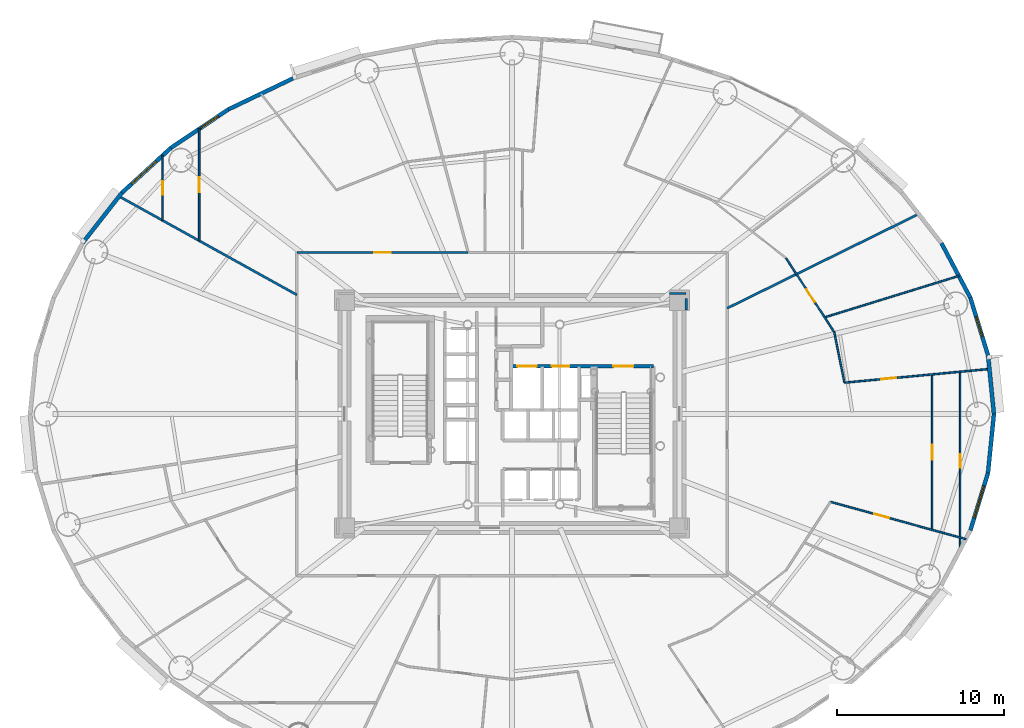
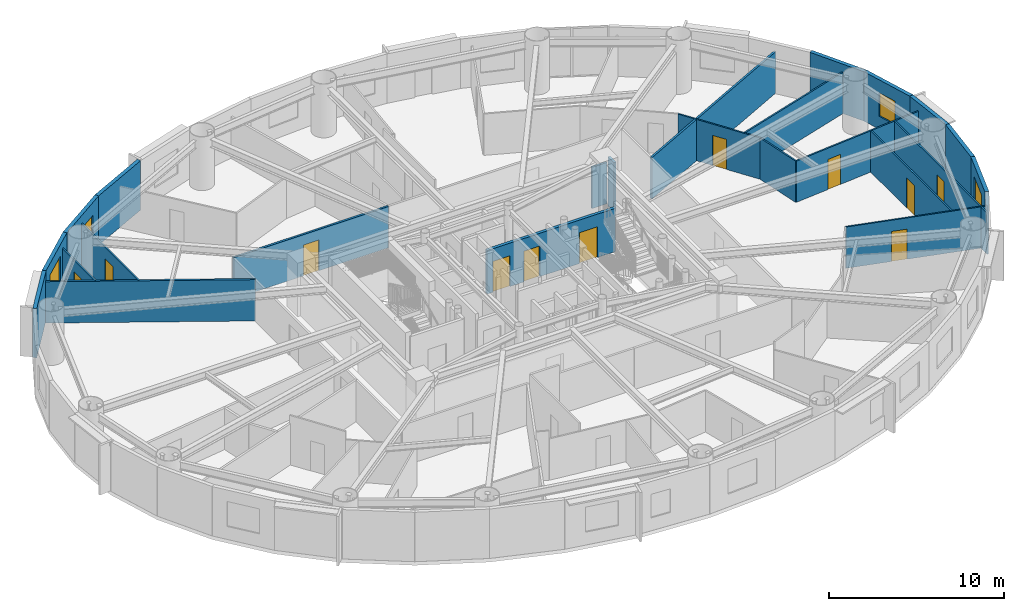
# One storey, part 10 of 17: 24 walls, 11 doors, 4 windows, 15 openings.
"""IFC4 building model written with IfcOpenShell, lengths in metres."""

from ifc_helpers import new_model, si_unit, direction, frame, frame_2d, origin, origin_2d, place, context, subcontext, project, spatial, rectangle, extrude, source, transform, mapped, material, layer, layer_set, type_object, element, fill, save


model = new_model("IFC4")

# Units and contexts
model_context = context("Model", 3, precision=1e-05, world=origin(), true_north=direction((0.0, 1.0)))
body_context = subcontext(model_context, "Body", "Model", "MODEL_VIEW")
ifc_project = project(units=[si_unit("LENGTHUNIT", "METRE"), si_unit("AREAUNIT", "SQUARE_METRE"), si_unit("VOLUMEUNIT", "CUBIC_METRE"), si_unit("PLANEANGLEUNIT", "RADIAN"), si_unit("MASSUNIT", "GRAM", prefix="KILO")], contexts=[model_context])

# Site, building, storey
site_placement = place(None, origin())
site = spatial("IfcSite", under=ifc_project, at=site_placement, CompositionType="ELEMENT")
building_placement = place(site_placement, origin())
building = spatial("IfcBuilding", under=site, at=building_placement, Name="Linh Dai School and Residence Tower", CompositionType="ELEMENT")
storey_placement = place(building_placement, frame((0.0, 0.0, 142.199951171875)))
storey = spatial("IfcBuildingStorey", under=building, at=storey_placement, Name="L34", CompositionType="ELEMENT", Elevation=142.199951171875)

# Wall
ifc_material_1 = material(Name="Precast Concrete B45 (C35/45)", Category="concrete")
ifc_layer_1 = layer(ifc_material_1, 0.239990234375)
ifc_layer_set_1 = layer_set([ifc_layer_1], Name="Precast Concrete B45 (C35/45)")
wall_type_1 = type_object("IfcWallType", Name="EW-TC-240", PredefinedType="SOLIDWALL", material=ifc_layer_set_1)
wall_1_placement = place(storey_placement, frame((64.421630859375, 30.515380859375, 0.0), z_axis=(0.0, 0.0, 1.0), x_axis=(0.099989468229, -0.994988495533, 0.0)))
element("IfcWall", 1, at=wall_1_placement, inside=storey, type_object=wall_type_1, Name="L34 Terracotta Exterior Wall 01", PredefinedType="SOLIDWALL", context=body_context, shape_type="SweptSolid", body=[
    extrude(rectangle(XDim=3.533203125, YDim=0.239990234375, at=frame_2d((1.7666015625, 0.0))), origin(), (0.0, 0.0, 1.0), 3.449951171875),
])

# Wall, opening, window
wall_2_placement = place(storey_placement, frame((63.3701171875, 33.945068359375, 0.0), z_axis=(0.0, 0.0, 1.0), x_axis=(0.293124431344, -0.956074300329, 0.0)))
wall_2 = element("IfcWall", 2, at=wall_2_placement, inside=storey, type_object=wall_type_1, Name="L34 Terracotta Exterior Wall 02", PredefinedType="SOLIDWALL", context=body_context, shape_type="SweptSolid", body=[
    extrude(rectangle(XDim=3.587158203125, YDim=0.239990234375, at=frame_2d((1.79345703125, 0.0))), origin(), (0.0, 0.0, 1.0), 3.449951171875),
])
opening_1_placement = place(wall_2_placement, frame((1.168701171875, 0.0, 0.89990234375)))
opening_1 = element("IfcOpeningElement", 3, at=opening_1_placement, cuts=wall_2, Name="Opening W3", PredefinedType="OPENING", context=body_context, shape_type="SweptSolid", body=[
    extrude(rectangle(XDim=1.25, YDim=1.64990234375, at=origin_2d()), frame((0.625, 0.1298828125, 0.824951171875), z_axis=(0.0, -1.0, 0.0), x_axis=(1.0, 0.0, 0.0)), (0.0, 0.0, 1.0), 0.260009765625),
])
ifc_material_2 = material(Name="Double Low-E Insulated Glazing", Category="glass")
window_type_1 = type_object("IfcWindowType", Name="WN-RES-1250x1650", PartitioningType="SINGLE_PANEL", PredefinedType="WINDOW", material=ifc_material_2)
shared_shape_1 = source(origin(), body_context, "Body", "SweptSolid", [
    extrude(rectangle(XDim=1.25, YDim=1.64990234375, at=origin_2d()), frame((0.625, 0.030029296875, 0.824951171875), z_axis=(0.0, -1.0, 0.0), x_axis=(1.0, 0.0, 0.0)), (0.0, 0.0, 1.0), 0.06005859375),
])
window_1_placement = place(opening_1_placement, origin())
window_1 = element("IfcWindow", 4, at=window_1_placement, inside=storey, type_object=window_type_1, Name="L34 Dwelling Window U3403-BD2", OverallHeight=1.64990234375, OverallWidth=1.25, PartitioningType="SINGLE_PANEL", PredefinedType="WINDOW", context=body_context, shape_type="MappedRepresentation", body=[
    mapped(shared_shape_1, transform((0.0, 0.0, 0.0), x_axis=(1.0, 0.0, 0.0), y_axis=(0.0, 1.0, 0.0), z_axis=(0.0, 0.0, 1.0), scale=1.0)),
])
fill(opening_1, window_1)

# Walls
wall_3_placement = place(storey_placement, frame((61.645263671875, 37.20556640625, 0.0), z_axis=(0.0, 0.0, 1.0), x_axis=(0.467614004126, -0.883932770716, 0.0)))
element("IfcWall", 5, at=wall_3_placement, inside=storey, type_object=wall_type_1, Name="L34 Terracotta Exterior Wall 03", PredefinedType="SOLIDWALL", context=body_context, shape_type="SweptSolid", body=[
    extrude(rectangle(XDim=3.688720703125, YDim=0.239990234375, at=frame_2d((1.84423828125, 0.0))), origin(), (0.0, 0.0, 1.0), 3.449951171875),
])
wall_4_placement = place(storey_placement, frame((19.07470703125, 45.199462890625, 0.0), z_axis=(0.0, 0.0, 1.0), x_axis=(0.901589935876, 0.432591709962, 0.0)))
element("IfcWall", 6, at=wall_4_placement, inside=storey, type_object=wall_type_1, Name="L34 Terracotta Exterior Wall 14", PredefinedType="SOLIDWALL", context=body_context, shape_type="SweptSolid", body=[
    extrude(rectangle(XDim=4.271728515625, YDim=0.239990234375, at=frame_2d((2.1357421875, 0.0))), origin(), (0.0, 0.0, 1.0), 3.449951171875),
])

# Wall, opening, window
wall_5_placement = place(storey_placement, frame((15.6416015625, 42.9033203125, 0.0), z_axis=(0.0, 0.0, 1.0), x_axis=(0.831221811447, 0.555940914284, 0.0)))
wall_5 = element("IfcWall", 7, at=wall_5_placement, inside=storey, type_object=wall_type_1, Name="L34 Terracotta Exterior Wall 15", PredefinedType="SOLIDWALL", context=body_context, shape_type="SweptSolid", body=[
    extrude(rectangle(XDim=4.130126953125, YDim=0.239990234375, at=frame_2d((2.06494140625, 0.0))), origin(), (0.0, 0.0, 1.0), 3.449951171875),
])
opening_2_placement = place(wall_5_placement, frame((2.155517578125, 0.0, 0.89990234375)))
opening_2 = element("IfcOpeningElement", 8, at=opening_2_placement, cuts=wall_5, Name="Opening W3", PredefinedType="OPENING", context=body_context, shape_type="SweptSolid", body=[
    extrude(rectangle(XDim=1.25, YDim=1.64990234375, at=origin_2d()), frame((0.625, 0.1298828125, 0.824951171875), z_axis=(0.0, -1.0, 0.0), x_axis=(1.0, 0.0, 0.0)), (0.0, 0.0, 1.0), 0.260009765625),
])
window_2_placement = place(opening_2_placement, origin())
window_2 = element("IfcWindow", 9, at=window_2_placement, inside=storey, type_object=window_type_1, Name="L34 Dwelling Window U3405-LIV", OverallHeight=1.64990234375, OverallWidth=1.25, PartitioningType="SINGLE_PANEL", PredefinedType="WINDOW", context=body_context, shape_type="MappedRepresentation", body=[
    mapped(shared_shape_1, transform((0.0, 0.0, 0.0), x_axis=(1.0, 0.0, 0.0), y_axis=(0.0, 1.0, 0.0), z_axis=(0.0, 0.0, 1.0), scale=1.0)),
])
fill(opening_2, window_2)

wall_6_placement = place(storey_placement, frame((12.7109375, 40.216552734375, 0.0), z_axis=(0.0, 0.0, 1.0), x_axis=(0.737113356241, 0.675769117414, 0.0)))
wall_6 = element("IfcWall", 10, at=wall_6_placement, inside=storey, type_object=wall_type_1, Name="L34 Terracotta Exterior Wall 16", PredefinedType="SOLIDWALL", context=body_context, shape_type="SweptSolid", body=[
    extrude(rectangle(XDim=3.975830078125, YDim=0.239990234375, at=frame_2d((1.98779296875, 0.0))), origin(), (0.0, 0.0, 1.0), 3.449951171875),
])
opening_3_placement = place(wall_6_placement, frame((0.78662109375, 0.0, 0.89990234375)))
opening_3 = element("IfcOpeningElement", 11, at=opening_3_placement, cuts=wall_6, Name="Opening W1", PredefinedType="OPENING", context=body_context, shape_type="SweptSolid", body=[
    extrude(rectangle(XDim=2.0, YDim=1.75, at=origin_2d()), frame((1.0, 0.1298828125, 0.875), z_axis=(0.0, -1.0, 0.0), x_axis=(1.0, 0.0, 0.0)), (0.0, 0.0, 1.0), 0.260009765625),
])
window_type_2 = type_object("IfcWindowType", Name="WN-RES-2000x1750", PartitioningType="DOUBLE_PANEL_VERTICAL", PredefinedType="WINDOW", material=ifc_material_2)
shared_shape_2 = source(origin(), body_context, "Body", "SweptSolid", [
    extrude(rectangle(XDim=2.0, YDim=1.75, at=origin_2d()), frame((1.0, 0.030029296875, 0.875), z_axis=(0.0, -1.0, 0.0), x_axis=(1.0, 0.0, 0.0)), (0.0, 0.0, 1.0), 0.06005859375),
])
window_3_placement = place(opening_3_placement, origin())
window_3 = element("IfcWindow", 12, at=window_3_placement, inside=storey, type_object=window_type_2, Name="L34 Exterior Window 16.1", OverallHeight=1.75, OverallWidth=2.0, PartitioningType="DOUBLE_PANEL_VERTICAL", PredefinedType="WINDOW", context=body_context, shape_type="MappedRepresentation", body=[
    mapped(shared_shape_2, transform((0.0, 0.0, 0.0), x_axis=(1.0, 0.0, 0.0), y_axis=(0.0, 1.0, 0.0), z_axis=(0.0, 0.0, 1.0), scale=1.0)),
])
fill(opening_3, window_3)

# Wall
wall_7_placement = place(storey_placement, frame((10.354736328125, 37.20556640625, 0.0), z_axis=(0.0, 0.0, 1.0), x_axis=(0.616272103517, 0.787533297345, 0.0)))
element("IfcWall", 13, at=wall_7_placement, inside=storey, type_object=wall_type_1, Name="L34 Terracotta Exterior Wall 17", PredefinedType="SOLIDWALL", context=body_context, shape_type="SweptSolid", body=[
    extrude(rectangle(XDim=3.8232421875, YDim=0.239990234375, at=frame_2d((1.91162109375, 0.0))), origin(), (0.0, 0.0, 1.0), 3.449951171875),
])

# Wall, opening, window
wall_8_placement = place(storey_placement, frame((64.421630859375, 23.484619140625, 0.0), z_axis=(0.0, 0.0, 1.0), x_axis=(-0.293124431344, -0.956074300329, 0.0)))
wall_8 = element("IfcWall", 14, at=wall_8_placement, inside=storey, type_object=wall_type_1, Name="L34 Terracotta Exterior Wall 39", PredefinedType="SOLIDWALL", context=body_context, shape_type="SweptSolid", body=[
    extrude(rectangle(XDim=3.587158203125, YDim=0.239990234375, at=frame_2d((1.79345703125, 0.0))), origin(), (0.0, 0.0, 1.0), 3.449951171875),
])
opening_4_placement = place(wall_8_placement, frame((0.793701171875, 0.0, 0.89990234375)))
opening_4 = element("IfcOpeningElement", 15, at=opening_4_placement, cuts=wall_8, Name="Opening W1", PredefinedType="OPENING", context=body_context, shape_type="SweptSolid", body=[
    extrude(rectangle(XDim=2.0, YDim=1.75, at=origin_2d()), frame((1.0, 0.1298828125, 0.875), z_axis=(0.0, -1.0, 0.0), x_axis=(1.0, 0.0, 0.0)), (0.0, 0.0, 1.0), 0.260009765625),
])
window_4_placement = place(opening_4_placement, origin())
window_4 = element("IfcWindow", 16, at=window_4_placement, inside=storey, type_object=window_type_2, Name="L34 Exterior Window 39.1", OverallHeight=1.75, OverallWidth=2.0, PartitioningType="DOUBLE_PANEL_VERTICAL", PredefinedType="WINDOW", context=body_context, shape_type="MappedRepresentation", body=[
    mapped(shared_shape_2, transform((0.0, 0.0, 0.0), x_axis=(1.0, 0.0, 0.0), y_axis=(0.0, 1.0, 0.0), z_axis=(0.0, 0.0, 1.0), scale=1.0)),
])
fill(opening_4, window_4)

# Walls
wall_9_placement = place(storey_placement, frame((64.77490234375, 27.0, 0.0), z_axis=(0.0, 0.0, 1.0), x_axis=(-0.099989468229, -0.994988495533, 0.0)))
element("IfcWall", 17, at=wall_9_placement, inside=storey, type_object=wall_type_1, Name="L34 Terracotta Exterior Wall 40", PredefinedType="SOLIDWALL", context=body_context, shape_type="SweptSolid", body=[
    extrude(rectangle(XDim=3.533203125, YDim=0.239990234375, at=frame_2d((1.7666015625, 0.0))), origin(), (0.0, 0.0, 1.0), 3.449951171875),
])
ifc_material_3 = material(Name="Autoclaved Aerated Concrete Blockwork", Category="masonry")
ifc_layer_2 = layer(ifc_material_3, 0.135009765625)
ifc_layer_set_2 = layer_set([ifc_layer_2], Name="Autoclaved Aerated Concrete Blockwork")
wall_type_2 = type_object("IfcWallType", Name="IW-CORR-135-EI90", PredefinedType="PARTITIONING", material=ifc_layer_set_2)
wall_10_placement = place(storey_placement, frame((12.538818359375, 40.004638671875, 0.0), z_axis=(0.0, 0.0, 1.0), x_axis=(0.874619146564, -0.484810631549, 0.0)))
element("IfcWall", 18, at=wall_10_placement, inside=storey, type_object=wall_type_2, Name="L34 Interior Partition Wall 003", PredefinedType="PARTITIONING", context=body_context, shape_type="SweptSolid", body=[
    extrude(rectangle(XDim=12.13232421875, YDim=0.135009765625, at=frame_2d((6.066162109375, 0.0))), origin(), (0.0, 0.0, 1.0), 2.885009765625),
])

# Wall, opening, door
wall_11_placement = place(storey_placement, frame((23.14990234375, 36.64990234375, 0.0), z_axis=(0.0, 0.0, 1.0), x_axis=(1.0, 0.0, 0.0)))
wall_11 = element("IfcWall", 19, at=wall_11_placement, inside=storey, type_object=wall_type_2, Name="L34 Interior Partition Wall 017", PredefinedType="PARTITIONING", context=body_context, shape_type="SweptSolid", body=[
    extrude(rectangle(XDim=10.236328125, YDim=0.135009765625, at=frame_2d((5.1181640625, 0.0))), origin(), (0.0, 0.0, 1.0), 2.885009765625),
])
opening_5_placement = place(wall_11_placement, frame((4.6181640625, 0.0, 0.0)))
opening_5 = element("IfcOpeningElement", 20, at=opening_5_placement, cuts=wall_11, Name="Opening D03", PredefinedType="OPENING", context=body_context, shape_type="SweptSolid", body=[
    extrude(rectangle(XDim=1.0, YDim=2.14990234375, at=origin_2d()), frame((0.5, 0.07763671875, 1.074951171875), z_axis=(0.0, -1.0, 0.0), x_axis=(1.0, 0.0, 0.0)), (0.0, 0.0, 1.0), 0.155029296875),
])
ifc_material_4 = material(Name="Fire-Rated Solid Timber Entrance Door", Category="wood")
door_type_1 = type_object("IfcDoorType", Name="DR-FLAT-1000x2150-FD60S", OperationType="NOTDEFINED", PredefinedType="DOOR", material=ifc_material_4)
shared_shape_3 = source(origin(), body_context, "Body", "SweptSolid", [
    extrude(rectangle(XDim=1.0, YDim=2.14990234375, at=origin_2d()), frame((0.5, 0.02490234375, 1.074951171875), z_axis=(0.0, -1.0, 0.0), x_axis=(1.0, 0.0, 0.0)), (0.0, 0.0, 1.0), 0.050048828125),
])
door_1_placement = place(opening_5_placement, origin())
door_1 = element("IfcDoor", 21, at=door_1_placement, inside=storey, type_object=door_type_1, Name="L34 U3405 Apartment Entrance Door", OperationType="SINGLE_SWING_RIGHT", OverallHeight=2.14990234375, OverallWidth=1.0, PredefinedType="DOOR", context=body_context, shape_type="MappedRepresentation", body=[
    mapped(shared_shape_3, transform((0.0, 0.0, 0.0), x_axis=(1.0, 0.0, 0.0), y_axis=(0.0, 1.0, 0.0), z_axis=(0.0, 0.0, 1.0), scale=1.0)),
])
fill(opening_5, door_1)

# Walls
wall_12_placement = place(storey_placement, frame((48.85009765625, 33.322998046875, 0.0), z_axis=(0.0, 0.0, 1.0), x_axis=(0.897255437174, 0.44151181237, 0.0)))
element("IfcWall", 22, at=wall_12_placement, inside=storey, type_object=wall_type_2, Name="L34 Interior Partition Wall 081", PredefinedType="PARTITIONING", context=body_context, shape_type="SweptSolid", body=[
    extrude(rectangle(XDim=12.745849609375, YDim=0.135009765625, at=frame_2d((6.373046875, 0.0))), origin(), (0.0, 0.0, 1.0), 2.885009765625),
])
wall_13_placement = place(storey_placement, frame((46.39990234375, 34.199951171875, 0.0), z_axis=(0.0, 0.0, 1.0), x_axis=(-1.0, 0.0, 0.0)))
element("IfcWall", 23, at=wall_13_placement, inside=storey, type_object=wall_type_2, Name="L34 Interior Partition Wall 104", PredefinedType="PARTITIONING", context=body_context, shape_type="SweptSolid", body=[
    extrude(rectangle(XDim=0.989990234375, YDim=0.135009765625, at=frame_2d((0.4951171875, 0.0))), origin(), (0.0, 0.0, 1.0), 2.885009765625),
])
wall_14_placement = place(storey_placement, frame((46.39990234375, 33.2099609375, 0.0), z_axis=(0.0, 0.0, 1.0), x_axis=(0.0, 1.0, 0.0)))
element("IfcWall", 24, at=wall_14_placement, inside=storey, type_object=wall_type_2, Name="L34 Interior Partition Wall 111", PredefinedType="PARTITIONING", context=body_context, shape_type="SweptSolid", body=[
    extrude(rectangle(XDim=0.6826171875, YDim=0.135009765625, at=frame_2d((0.34130859375, 0.0))), origin(), (0.0, 0.0, 1.0), 3.449951171875),
])

# Wall, openings, doors
ifc_material_5 = material(Name="Concrete B45 (C35/45)", Category="concrete")
ifc_layer_3 = layer(ifc_material_5, 0.199951171875)
ifc_layer_set_3 = layer_set([ifc_layer_3], Name="Concrete B45 (C35/45)")
wall_type_3 = type_object("IfcWallType", Name="IW-SHAFT-200-EI120", PredefinedType="PARTITIONING", material=ifc_layer_set_3)
wall_15_placement = place(storey_placement, frame((35.949951171875, 29.85009765625, 0.0), z_axis=(0.0, 0.0, 1.0), x_axis=(1.0, 0.0, 0.0)))
wall_15 = element("IfcWall", 25, at=wall_15_placement, inside=storey, type_object=wall_type_3, Name="L34 Interior Partition Wall 048", PredefinedType="PARTITIONING", context=body_context, shape_type="SweptSolid", body=[
    extrude(rectangle(XDim=8.489990234375, YDim=0.199951171875, at=frame_2d((4.2451171875, 0.0))), origin(), (0.0, 0.0, 1.0), 3.03515625),
])
opening_6_placement = place(wall_15_placement, frame((6.10009765625, 0.0, 0.0)))
opening_6 = element("IfcOpeningElement", 26, at=opening_6_placement, cuts=wall_15, Name="Opening D01", PredefinedType="OPENING", context=body_context, shape_type="SweptSolid", body=[
    extrude(rectangle(XDim=1.199951171875, YDim=2.14990234375, at=origin_2d()), frame((0.60009765625, 0.10986328125, 1.074951171875), z_axis=(0.0, -1.0, 0.0), x_axis=(1.0, 0.0, 0.0)), (0.0, 0.0, 1.0), 0.219970703125),
])
opening_7_placement = place(wall_15_placement, frame((0.3701171875, 0.0, 0.0)))
opening_7 = element("IfcOpeningElement", 27, at=opening_7_placement, cuts=wall_15, Name="Opening LD-FF1", PredefinedType="OPENING", context=body_context, shape_type="SweptSolid", body=[
    extrude(rectangle(XDim=1.14990234375, YDim=2.14990234375, at=origin_2d()), frame((0.574951171875, 0.10986328125, 1.074951171875), z_axis=(0.0, -1.0, 0.0), x_axis=(1.0, 0.0, 0.0)), (0.0, 0.0, 1.0), 0.219970703125),
])
opening_8_placement = place(wall_15_placement, frame((2.425048828125, 0.0, 0.0)))
opening_8 = element("IfcOpeningElement", 28, at=opening_8_placement, cuts=wall_15, Name="Opening LD-SV1", PredefinedType="OPENING", context=body_context, shape_type="SweptSolid", body=[
    extrude(rectangle(XDim=1.050048828125, YDim=2.14990234375, at=origin_2d()), frame((0.52490234375, 0.10986328125, 1.074951171875), z_axis=(0.0, -1.0, 0.0), x_axis=(1.0, 0.0, 0.0)), (0.0, 0.0, 1.0), 0.219970703125),
])
ifc_material_6 = material(Name="Fire-Rated Steel Door Leaf", Category="steel")
door_type_2 = type_object("IfcDoorType", Name="DR-STAIR-1200x2150-FD90S", OperationType="NOTDEFINED", PredefinedType="DOOR", material=ifc_material_6)
shared_shape_4 = source(origin(), body_context, "Body", "SweptSolid", [
    extrude(rectangle(XDim=1.199951171875, YDim=2.14990234375, at=origin_2d()), frame((0.60009765625, 0.02490234375, 1.074951171875), z_axis=(0.0, -1.0, 0.0), x_axis=(1.0, 0.0, 0.0)), (0.0, 0.0, 1.0), 0.050048828125),
])
door_2_placement = place(opening_6_placement, origin())
door_2 = element("IfcDoor", 29, at=door_2_placement, inside=storey, type_object=door_type_2, Name="L34 Core Smokeproof Exit Stair ST2 Door", OperationType="SINGLE_SWING_RIGHT", OverallHeight=2.14990234375, OverallWidth=1.199951171875, PredefinedType="DOOR", context=body_context, shape_type="MappedRepresentation", body=[
    mapped(shared_shape_4, transform((0.0, 0.0, 0.0), x_axis=(1.0, 0.0, 0.0), y_axis=(0.0, 1.0, 0.0), z_axis=(0.0, 0.0, 1.0), scale=1.0)),
])
fill(opening_6, door_2)
ifc_material_7 = material(Name="Fire-Rated Stainless Steel Firefighting Lift Door", Category="steel")
door_type_3 = type_object("IfcDoorType", Name="DR-LD-FF-1150x2150-FD120", OperationType="DOUBLE_DOOR_SLIDING", PredefinedType="USERDEFINED", material=ifc_material_7)
shared_shape_5 = source(origin(), body_context, "Body", "SweptSolid", [
    extrude(rectangle(XDim=1.14990234375, YDim=2.14990234375, at=origin_2d()), frame((0.574951171875, 0.02490234375, 1.074951171875), z_axis=(0.0, -1.0, 0.0), x_axis=(1.0, 0.0, 0.0)), (0.0, 0.0, 1.0), 0.050048828125),
])
door_3_placement = place(opening_7_placement, origin())
door_3 = element("IfcDoor", 30, at=door_3_placement, inside=storey, type_object=door_type_3, Name="L34 Lift FF1 Sliding Landing Door", ObjectType="LANDING DOOR", OperationType="DOUBLE_DOOR_SLIDING", OverallHeight=2.14990234375, OverallWidth=1.14990234375, PredefinedType="USERDEFINED", context=body_context, shape_type="MappedRepresentation", body=[
    mapped(shared_shape_5, transform((0.0, 0.0, 0.0), x_axis=(1.0, 0.0, 0.0), y_axis=(0.0, 1.0, 0.0), z_axis=(0.0, 0.0, 1.0), scale=1.0)),
])
fill(opening_7, door_3)
ifc_material_8 = material(Name="Brushed Stainless Steel Lift Landing Door", Category="steel")
door_type_4 = type_object("IfcDoorType", Name="DR-LD-PASS-1050x2150", OperationType="DOUBLE_DOOR_SLIDING", PredefinedType="USERDEFINED", material=ifc_material_8)
shared_shape_6 = source(origin(), body_context, "Body", "SweptSolid", [
    extrude(rectangle(XDim=1.050048828125, YDim=2.14990234375, at=origin_2d()), frame((0.52490234375, 0.02490234375, 1.074951171875), z_axis=(0.0, -1.0, 0.0), x_axis=(1.0, 0.0, 0.0)), (0.0, 0.0, 1.0), 0.050048828125),
])
door_4_placement = place(opening_8_placement, origin())
door_4 = element("IfcDoor", 31, at=door_4_placement, inside=storey, type_object=door_type_4, Name="L34 Lift SV1 Sliding Landing Door", ObjectType="LANDING DOOR", OperationType="DOUBLE_DOOR_SLIDING", OverallHeight=2.14990234375, OverallWidth=1.050048828125, PredefinedType="USERDEFINED", context=body_context, shape_type="MappedRepresentation", body=[
    mapped(shared_shape_6, transform((0.0, 0.0, 0.0), x_axis=(1.0, 0.0, 0.0), y_axis=(0.0, 1.0, 0.0), z_axis=(0.0, 0.0, 1.0), scale=1.0)),
])
fill(opening_8, door_4)

# Wall, opening, door
ifc_material_9 = material(Name="Gypsum Plasterboard Acoustic Stud Partition", Category="masonry")
ifc_layer_4 = layer(ifc_material_9, 0.10009765625)
ifc_layer_set_4 = layer_set([ifc_layer_4], Name="Gypsum Plasterboard Acoustic Stud Partition")
wall_type_4 = type_object("IfcWallType", Name="IW-UNIT-100", PredefinedType="PARTITIONING", material=ifc_layer_set_4)
wall_16_placement = place(storey_placement, frame((15.1416015625, 38.56201171875, 0.0), z_axis=(0.0, 0.0, 1.0), x_axis=(0.0, 1.0, 0.0)))
wall_16 = element("IfcWall", 32, at=wall_16_placement, inside=storey, type_object=wall_type_4, Name="L34 Interior Partition Wall 005", PredefinedType="PARTITIONING", context=body_context, shape_type="SweptSolid", body=[
    extrude(rectangle(XDim=3.8896484375, YDim=0.10009765625, at=frame_2d((1.94482421875, 0.0))), origin(), (0.0, 0.0, 1.0), 2.885009765625),
])
opening_9_placement = place(wall_16_placement, frame((1.534912109375, 0.0, 0.0)))
opening_9 = element("IfcOpeningElement", 33, at=opening_9_placement, cuts=wall_16, Name="Opening D06", PredefinedType="OPENING", context=body_context, shape_type="SweptSolid", body=[
    extrude(rectangle(XDim=0.820068359375, YDim=2.10009765625, at=origin_2d()), frame((0.41015625, 0.06005859375, 1.050048828125), z_axis=(0.0, -1.0, 0.0), x_axis=(1.0, 0.0, 0.0)), (0.0, 0.0, 1.0), 0.1201171875),
])
ifc_material_10 = material(Name="Moisture-Resistant Timber Bathroom Door", Category="wood")
door_type_5 = type_object("IfcDoorType", Name="DR-WET-820x2100", OperationType="NOTDEFINED", PredefinedType="DOOR", material=ifc_material_10)
shared_shape_7 = source(origin(), body_context, "Body", "SweptSolid", [
    extrude(rectangle(XDim=0.820068359375, YDim=2.10009765625, at=origin_2d()), frame((0.41015625, 0.02490234375, 1.050048828125), z_axis=(0.0, -1.0, 0.0), x_axis=(1.0, 0.0, 0.0)), (0.0, 0.0, 1.0), 0.050048828125),
])
door_5_placement = place(opening_9_placement, origin())
door_5 = element("IfcDoor", 34, at=door_5_placement, inside=storey, type_object=door_type_5, Name="L34 Apartment U3405 Bathroom 1 Door", OperationType="SINGLE_SWING_LEFT", OverallHeight=2.10009765625, OverallWidth=0.820068359375, PredefinedType="DOOR", context=body_context, shape_type="MappedRepresentation", body=[
    mapped(shared_shape_7, transform((0.0, 0.0, 0.0), x_axis=(1.0, 0.0, 0.0), y_axis=(0.0, 1.0, 0.0), z_axis=(0.0, 0.0, 1.0), scale=1.0)),
])
fill(opening_9, door_5)

wall_17_placement = place(storey_placement, frame((17.330810546875, 37.348388671875, 0.0), z_axis=(0.0, 0.0, 1.0), x_axis=(0.0, 1.0, 0.0)))
wall_17 = element("IfcWall", 35, at=wall_17_placement, inside=storey, type_object=wall_type_4, Name="L34 Interior Partition Wall 009", PredefinedType="PARTITIONING", context=body_context, shape_type="SweptSolid", body=[
    extrude(rectangle(XDim=6.690673828125, YDim=0.10009765625, at=frame_2d((3.34521484375, 0.0))), origin(), (0.0, 0.0, 1.0), 2.885009765625),
])
opening_10_placement = place(wall_17_placement, frame((2.895263671875, 0.0, 0.0)))
opening_10 = element("IfcOpeningElement", 36, at=opening_10_placement, cuts=wall_17, Name="Opening D05", PredefinedType="OPENING", context=body_context, shape_type="SweptSolid", body=[
    extrude(rectangle(XDim=0.89990234375, YDim=2.10009765625, at=origin_2d()), frame((0.449951171875, 0.06005859375, 1.050048828125), z_axis=(0.0, -1.0, 0.0), x_axis=(1.0, 0.0, 0.0)), (0.0, 0.0, 1.0), 0.1201171875),
])
ifc_material_11 = material(Name="Engineered Timber Internal Door", Category="wood")
door_type_6 = type_object("IfcDoorType", Name="DR-INT-900x2100", OperationType="NOTDEFINED", PredefinedType="DOOR", material=ifc_material_11)
shared_shape_8 = source(origin(), body_context, "Body", "SweptSolid", [
    extrude(rectangle(XDim=0.89990234375, YDim=2.10009765625, at=origin_2d()), frame((0.449951171875, 0.02490234375, 1.050048828125), z_axis=(0.0, -1.0, 0.0), x_axis=(1.0, 0.0, 0.0)), (0.0, 0.0, 1.0), 0.050048828125),
])
door_6_placement = place(opening_10_placement, origin())
door_6 = element("IfcDoor", 37, at=door_6_placement, inside=storey, type_object=door_type_6, Name="L34 Apartment U3405 Kitchen Door", OperationType="SINGLE_SWING_RIGHT", OverallHeight=2.10009765625, OverallWidth=0.89990234375, PredefinedType="DOOR", context=body_context, shape_type="MappedRepresentation", body=[
    mapped(shared_shape_8, transform((0.0, 0.0, 0.0), x_axis=(1.0, 0.0, 0.0), y_axis=(0.0, 1.0, 0.0), z_axis=(0.0, 0.0, 1.0), scale=1.0)),
])
fill(opening_10, door_6)

wall_18_placement = place(storey_placement, frame((52.366455078125, 36.31103515625, 0.0), z_axis=(0.0, 0.0, 1.0), x_axis=(0.545405249109, -0.838172484781, 0.0)))
wall_18 = element("IfcWall", 38, at=wall_18_placement, inside=storey, type_object=wall_type_4, Name="L34 Interior Partition Wall 084", PredefinedType="PARTITIONING", context=body_context, shape_type="SweptSolid", body=[
    extrude(rectangle(XDim=5.2685546875, YDim=0.10009765625, at=frame_2d((2.63427734375, 0.0))), origin(), (0.0, 0.0, 1.0), 2.885009765625),
])
opening_11_placement = place(wall_18_placement, frame((2.228271484375, 0.0, 0.0)))
opening_11 = element("IfcOpeningElement", 39, at=opening_11_placement, cuts=wall_18, Name="Opening D05", PredefinedType="OPENING", context=body_context, shape_type="SweptSolid", body=[
    extrude(rectangle(XDim=0.89990234375, YDim=2.10009765625, at=origin_2d()), frame((0.449951171875, 0.06005859375, 1.050048828125), z_axis=(0.0, -1.0, 0.0), x_axis=(1.0, 0.0, 0.0)), (0.0, 0.0, 1.0), 0.1201171875),
])
door_7_placement = place(opening_11_placement, origin())
door_7 = element("IfcDoor", 40, at=door_7_placement, inside=storey, type_object=door_type_6, Name="L34 Apartment U3403 Study Door", OperationType="SINGLE_SWING_RIGHT", OverallHeight=2.10009765625, OverallWidth=0.89990234375, PredefinedType="DOOR", context=body_context, shape_type="MappedRepresentation", body=[
    mapped(shared_shape_8, transform((0.0, 0.0, 0.0), x_axis=(1.0, 0.0, 0.0), y_axis=(0.0, 1.0, 0.0), z_axis=(0.0, 0.0, 1.0), scale=1.0)),
])
fill(opening_11, door_7)

# Wall
wall_19_placement = place(storey_placement, frame((54.66796875, 32.774169921875, 0.0), z_axis=(0.0, 0.0, 1.0), x_axis=(0.955345753083, 0.295490257144, 0.0)))
element("IfcWall", 41, at=wall_19_placement, inside=storey, type_object=wall_type_4, Name="L34 Interior Partition Wall 086", PredefinedType="PARTITIONING", context=body_context, shape_type="SweptSolid", body=[
    extrude(rectangle(XDim=8.390380859375, YDim=0.10009765625, at=frame_2d((4.1953125, 0.0))), origin(), (0.0, 0.0, 1.0), 2.885009765625),
])

# Wall, opening, door
wall_20_placement = place(storey_placement, frame((55.0166015625, 21.761962890625, 0.0), z_axis=(0.0, 0.0, 1.0), x_axis=(0.964092156587, -0.265567907714, 0.0)))
wall_20 = element("IfcWall", 42, at=wall_20_placement, inside=storey, type_object=wall_type_4, Name="L34 Interior Partition Wall 087", PredefinedType="PARTITIONING", context=body_context, shape_type="SweptSolid", body=[
    extrude(rectangle(XDim=8.385009765625, YDim=0.10009765625, at=frame_2d((4.1923828125, 0.0))), origin(), (0.0, 0.0, 1.0), 2.885009765625),
])
opening_12_placement = place(wall_20_placement, frame((2.71728515625, 0.0, 0.0)))
opening_12 = element("IfcOpeningElement", 43, at=opening_12_placement, cuts=wall_20, Name="Opening D05", PredefinedType="OPENING", context=body_context, shape_type="SweptSolid", body=[
    extrude(rectangle(XDim=0.89990234375, YDim=2.10009765625, at=origin_2d()), frame((0.449951171875, 0.06005859375, 1.050048828125), z_axis=(0.0, -1.0, 0.0), x_axis=(1.0, 0.0, 0.0)), (0.0, 0.0, 1.0), 0.1201171875),
])
door_8_placement = place(opening_12_placement, origin())
door_8 = element("IfcDoor", 44, at=door_8_placement, inside=storey, type_object=door_type_6, Name="L34 Apartment U3403 Study Door", OperationType="SINGLE_SWING_RIGHT", OverallHeight=2.10009765625, OverallWidth=0.89990234375, PredefinedType="DOOR", context=body_context, shape_type="MappedRepresentation", body=[
    mapped(shared_shape_8, transform((0.0, 0.0, 0.0), x_axis=(1.0, 0.0, 0.0), y_axis=(0.0, 1.0, 0.0), z_axis=(0.0, 0.0, 1.0), scale=1.0)),
])
fill(opening_12, door_8)

# Wall
wall_21_placement = place(storey_placement, frame((55.239990234375, 31.89501953125, 0.0), z_axis=(0.0, 0.0, 1.0), x_axis=(0.198189059207, -0.980163811213, 0.0)))
element("IfcWall", 45, at=wall_21_placement, inside=storey, type_object=wall_type_4, Name="L34 Interior Partition Wall 088", PredefinedType="PARTITIONING", context=body_context, shape_type="SweptSolid", body=[
    extrude(rectangle(XDim=3.07958984375, YDim=0.10009765625, at=frame_2d((1.539794921875, 0.0))), origin(), (0.0, 0.0, 1.0), 2.885009765625),
])

# Wall, opening, door
wall_22_placement = place(storey_placement, frame((55.850341796875, 28.87646484375, 0.0), z_axis=(0.0, 0.0, 1.0), x_axis=(0.995563342767, 0.094093732729, 0.0)))
wall_22 = element("IfcWall", 46, at=wall_22_placement, inside=storey, type_object=wall_type_4, Name="L34 Interior Partition Wall 089", PredefinedType="PARTITIONING", context=body_context, shape_type="SweptSolid", body=[
    extrude(rectangle(XDim=8.697265625, YDim=0.10009765625, at=frame_2d((4.3486328125, 0.0))), origin(), (0.0, 0.0, 1.0), 2.885009765625),
])
opening_13_placement = place(wall_22_placement, frame((2.19921875, 0.0, 0.0)))
opening_13 = element("IfcOpeningElement", 47, at=opening_13_placement, cuts=wall_22, Name="Opening D05", PredefinedType="OPENING", context=body_context, shape_type="SweptSolid", body=[
    extrude(rectangle(XDim=0.89990234375, YDim=2.10009765625, at=origin_2d()), frame((0.449951171875, 0.06005859375, 1.050048828125), z_axis=(0.0, -1.0, 0.0), x_axis=(1.0, 0.0, 0.0)), (0.0, 0.0, 1.0), 0.1201171875),
])
door_9_placement = place(opening_13_placement, origin())
door_9 = element("IfcDoor", 48, at=door_9_placement, inside=storey, type_object=door_type_6, Name="L34 Apartment U3403 Principal Bedroom 2 Door", OperationType="SINGLE_SWING_LEFT", OverallHeight=2.10009765625, OverallWidth=0.89990234375, PredefinedType="DOOR", context=body_context, shape_type="MappedRepresentation", body=[
    mapped(shared_shape_8, transform((0.0, 0.0, 0.0), x_axis=(1.0, 0.0, 0.0), y_axis=(0.0, 1.0, 0.0), z_axis=(0.0, 0.0, 1.0), scale=1.0)),
])
fill(opening_13, door_9)

wall_23_placement = place(storey_placement, frame((61.08544921875, 20.09033203125, 0.0), z_axis=(0.0, 0.0, 1.0), x_axis=(0.0, 1.0, 0.0)))
wall_23 = element("IfcWall", 49, at=wall_23_placement, inside=storey, type_object=wall_type_4, Name="L34 Interior Partition Wall 090", PredefinedType="PARTITIONING", context=body_context, shape_type="SweptSolid", body=[
    extrude(rectangle(XDim=9.281005859375, YDim=0.10009765625, at=frame_2d((4.640625, 0.0))), origin(), (0.0, 0.0, 1.0), 2.885009765625),
])
opening_14_placement = place(wall_23_placement, frame((4.1904296875, 0.0, 0.0)))
opening_14 = element("IfcOpeningElement", 50, at=opening_14_placement, cuts=wall_23, Name="Opening D05", PredefinedType="OPENING", context=body_context, shape_type="SweptSolid", body=[
    extrude(rectangle(XDim=0.89990234375, YDim=2.10009765625, at=origin_2d()), frame((0.449951171875, 0.06005859375, 1.050048828125), z_axis=(0.0, -1.0, 0.0), x_axis=(1.0, 0.0, 0.0)), (0.0, 0.0, 1.0), 0.1201171875),
])
door_10_placement = place(opening_14_placement, origin())
door_10 = element("IfcDoor", 51, at=door_10_placement, inside=storey, type_object=door_type_6, Name="L34 Apartment U3403 Kitchen Door", OperationType="SINGLE_SWING_LEFT", OverallHeight=2.10009765625, OverallWidth=0.89990234375, PredefinedType="DOOR", context=body_context, shape_type="MappedRepresentation", body=[
    mapped(shared_shape_8, transform((0.0, 0.0, 0.0), x_axis=(1.0, 0.0, 0.0), y_axis=(0.0, 1.0, 0.0), z_axis=(0.0, 0.0, 1.0), scale=1.0)),
])
fill(opening_14, door_10)

wall_24_placement = place(storey_placement, frame((62.75390625, 18.879638671875, 0.0), z_axis=(0.0, 0.0, 1.0), x_axis=(0.0, 1.0, 0.0)))
wall_24 = element("IfcWall", 52, at=wall_24_placement, inside=storey, type_object=wall_type_4, Name="L34 Interior Partition Wall 091", PredefinedType="PARTITIONING", context=body_context, shape_type="SweptSolid", body=[
    extrude(rectangle(XDim=10.6494140625, YDim=0.10009765625, at=frame_2d((5.32470703125, 0.0))), origin(), (0.0, 0.0, 1.0), 2.885009765625),
])
opening_15_placement = place(wall_24_placement, frame((4.914794921875, 0.0, 0.0)))
opening_15 = element("IfcOpeningElement", 53, at=opening_15_placement, cuts=wall_24, Name="Opening D06", PredefinedType="OPENING", context=body_context, shape_type="SweptSolid", body=[
    extrude(rectangle(XDim=0.820068359375, YDim=2.10009765625, at=origin_2d()), frame((0.41015625, 0.06005859375, 1.050048828125), z_axis=(0.0, -1.0, 0.0), x_axis=(1.0, 0.0, 0.0)), (0.0, 0.0, 1.0), 0.1201171875),
])
door_11_placement = place(opening_15_placement, origin())
door_11 = element("IfcDoor", 54, at=door_11_placement, inside=storey, type_object=door_type_5, Name="L34 Apartment U3403 Bathroom 1 Door", OperationType="SINGLE_SWING_RIGHT", OverallHeight=2.10009765625, OverallWidth=0.820068359375, PredefinedType="DOOR", context=body_context, shape_type="MappedRepresentation", body=[
    mapped(shared_shape_7, transform((0.0, 0.0, 0.0), x_axis=(1.0, 0.0, 0.0), y_axis=(0.0, 1.0, 0.0), z_axis=(0.0, 0.0, 1.0), scale=1.0)),
])
fill(opening_15, door_11)

save(model, "model.ifc")
